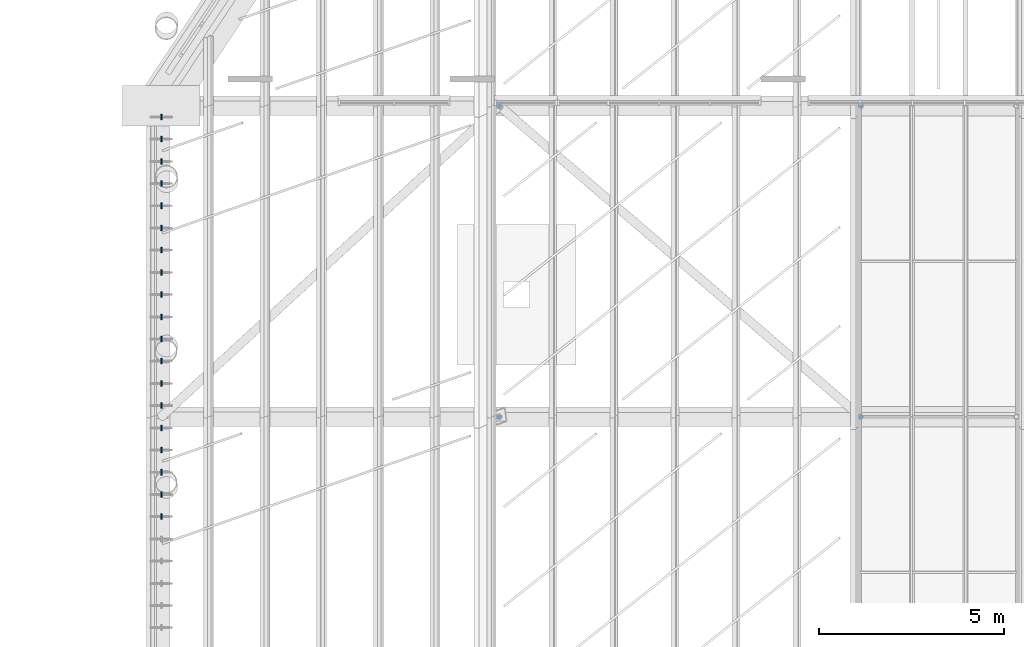
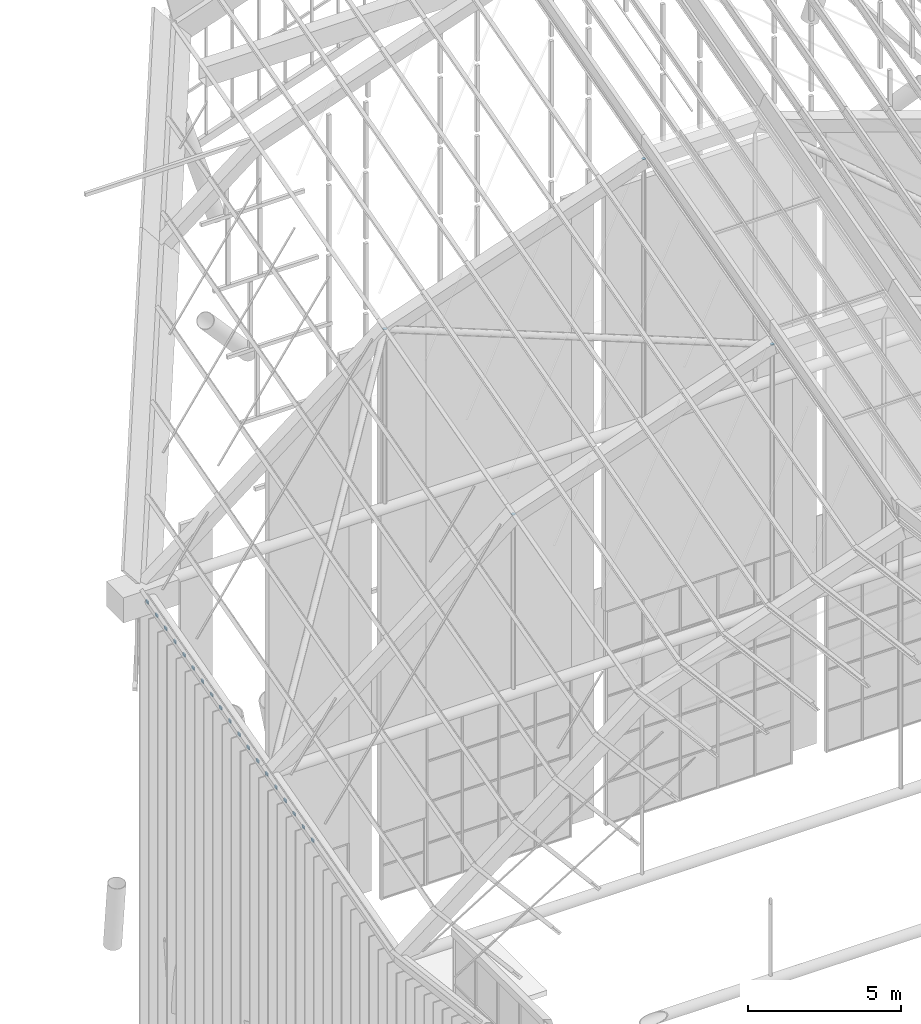
# One storey, part 97 of 126: 23 discrete accessories.
"""IFC4 building model written with IfcOpenShell, lengths in metres."""

from ifc_helpers import new_model, si_unit, direction, frame, origin, origin_2d, place, context, subcontext, project, spatial, rectangle, circle, extrude, material, layer, layer_set, material_profile, profile_set, type_object, element, save


model = new_model("IFC4")

# Units and contexts
model_context = context("Model", 3, precision=1e-05, world=origin(), true_north=direction((0.0, 1.0)))
body_context = subcontext(model_context, "Body", "Model", "MODEL_VIEW")
ifc_project = project(units=[si_unit("LENGTHUNIT", "METRE"), si_unit("AREAUNIT", "SQUARE_METRE"), si_unit("VOLUMEUNIT", "CUBIC_METRE"), si_unit("PLANEANGLEUNIT", "RADIAN"), si_unit("MASSUNIT", "GRAM", prefix="KILO")], contexts=[model_context])

# Site, building, storey
site_placement = place(None, origin())
site = spatial("IfcSite", under=ifc_project, at=site_placement, CompositionType="ELEMENT")
building_placement = place(site_placement, origin())
building = spatial("IfcBuilding", under=site, at=building_placement, Name="Sava Quay Ferry Terminal", CompositionType="ELEMENT")
storey_placement = place(building_placement, frame((0.0, 0.0, 15.0)))
storey = spatial("IfcBuildingStorey", under=building, at=storey_placement, Name="L03", CompositionType="ELEMENT", Elevation=15.0)

# Discrete accessories
ifc_material_1 = material(Name="Steel S355 galvanised", Category="steel")
ifc_layer = layer(ifc_material_1, 0.0400390625)
ifc_layer_set = layer_set([ifc_layer], Name="Steel S355 galvanised")
discrete_accessory_type_1 = type_object("IfcDiscreteAccessoryType", Name="Blade bracket flat 40x150", PredefinedType="BRACKET", material=ifc_layer_set)
for number, where, z_axis, x_axis, name in (
    (1, (42.0, 89.699951171875, 12.23974609375), (0.0, 0.0, 1.0), (1.0, 0.0, 0.0), "Blade bracket D-W 66"),
    (2, (42.0, 90.300048828125, 12.404052734375), (0.0, 0.0, 1.0), (1.0, 0.0, 0.0), "Blade bracket D-W 67"),
    (3, (42.0, 90.89990234375, 12.568115234375), (0.0, 0.0, 1.0), (1.0, 0.0, 0.0), "Blade bracket D-W 68"),
    (4, (42.0, 91.5, 12.732177734375), (0.0, 0.0, 1.0), (1.0, 0.0, 0.0), "Blade bracket D-W 69"),
    (5, (42.0, 92.10009765625, 12.896484375), (0.0, 0.0, 1.0), (1.0, 0.0, 0.0), "Blade bracket D-W 70"),
    (6, (42.0, 92.699951171875, 13.060546875), (0.0, 0.0, 1.0), (1.0, 0.0, 0.0), "Blade bracket D-W 71"),
    (7, (42.0, 93.300048828125, 13.224609375), (0.0, 0.0, 1.0), (1.0, 0.0, 0.0), "Blade bracket D-W 72"),
    (8, (42.0, 93.89990234375, 13.388916015625), (0.0, 0.0, 1.0), (1.0, 0.0, 0.0), "Blade bracket D-W 73"),
    (9, (42.0, 94.5, 13.552978515625), (0.0, 0.0, 1.0), (1.0, 0.0, 0.0), "Blade bracket D-W 74"),
    (10, (42.0, 95.10009765625, 13.717041015625), (0.0, 0.0, 1.0), (1.0, 0.0, 0.0), "Blade bracket D-W 75"),
    (11, (42.0, 95.699951171875, 13.88134765625), (0.0, 0.0, 1.0), (1.0, 0.0, 0.0), "Blade bracket D-W 76"),
    (12, (42.0, 96.300048828125, 14.04541015625), (0.0, 0.0, 1.0), (1.0, 0.0, 0.0), "Blade bracket D-W 77"),
    (13, (42.0, 96.89990234375, 14.20947265625), (0.0, 0.0, 1.0), (1.0, 0.0, 0.0), "Blade bracket D-W 78"),
    (14, (42.0, 97.5, 14.37353515625), (0.0, 0.0, 1.0), (1.0, 0.0, 0.0), "Blade bracket D-W 79"),
    (15, (42.0, 98.10009765625, 14.537841796875), (0.0, 0.0, 1.0), (1.0, 0.0, 0.0), "Blade bracket D-W 80"),
    (16, (42.0, 98.699951171875, 14.701904296875), (0.0, 0.0, 1.0), (1.0, 0.0, 0.0), "Blade bracket D-W 81"),
    (17, (42.0, 99.300048828125, 14.865966796875), (0.0, 0.0, 1.0), (1.0, 0.0, 0.0), "Blade bracket D-W 82"),
    (18, (42.0, 99.89990234375, 15.0302734375), (0.0, 0.0, 1.0), (1.0, 0.0, 0.0), "Blade bracket D-W 83"),
    (19, (42.0, 100.5, 15.1943359375), (0.0, 0.0, 1.0), (1.0, 0.0, 0.0), "Blade bracket D-W 84"),
):
    element("IfcDiscreteAccessory", number, at=place(storey_placement, frame(where, z_axis=z_axis, x_axis=x_axis)), inside=storey, type_object=discrete_accessory_type_1, Name=name, PredefinedType="BRACKET", context=body_context, shape_type="SweptSolid", body=[
        extrude(rectangle(XDim=0.0400390625, YDim=0.14990234375, at=origin_2d()), origin(), (0.0, 0.0, 1.0), 0.1201171875),
    ])
ifc_material_2 = material(Name="Steel S355", Category="steel")
ifc_material_profile = material_profile(ifc_material_2, circle(Radius=0.06982421875, at=origin_2d()), Name="Plate 139.7 dia x 20")
ifc_profile_set = profile_set([ifc_material_profile], Name="Steel S355")
discrete_accessory_type_2 = type_object("IfcDiscreteAccessoryType", Name="Tube end plate 139.7", PredefinedType="ANCHORPLATE", material=ifc_profile_set)
for number, where, z_axis, x_axis, name in (
    (20, (51.1298828125, 92.39990234375, 20.460205078125), (0.0, 0.0, 1.0), (1.0, 0.0, 0.0), "End plate Departure hall tie hanger R5 V1"),
    (21, (60.89990234375, 92.39990234375, 23.82421875), (0.0, 0.0, 1.0), (1.0, 0.0, 0.0), "End plate Departure hall tie hanger R5 V2"),
    (22, (51.1298828125, 100.800048828125, 22.758056640625), (0.0, 0.0, 1.0), (1.0, 0.0, 0.0), "End plate Departure hall tie hanger R6 V1"),
    (23, (60.89990234375, 100.800048828125, 26.122314453125), (0.0, 0.0, 1.0), (1.0, 0.0, 0.0), "End plate Departure hall tie hanger R6 V2"),
):
    element("IfcDiscreteAccessory", number, at=place(storey_placement, frame(where, z_axis=z_axis, x_axis=x_axis)), inside=storey, type_object=discrete_accessory_type_2, Name=name, PredefinedType="ANCHORPLATE", context=body_context, shape_type="SweptSolid", body=[
        extrude(circle(Radius=0.06982421875, at=origin_2d()), origin(), (0.0, 0.0, 1.0), 0.02001953125),
    ])

save(model, "model.ifc")
